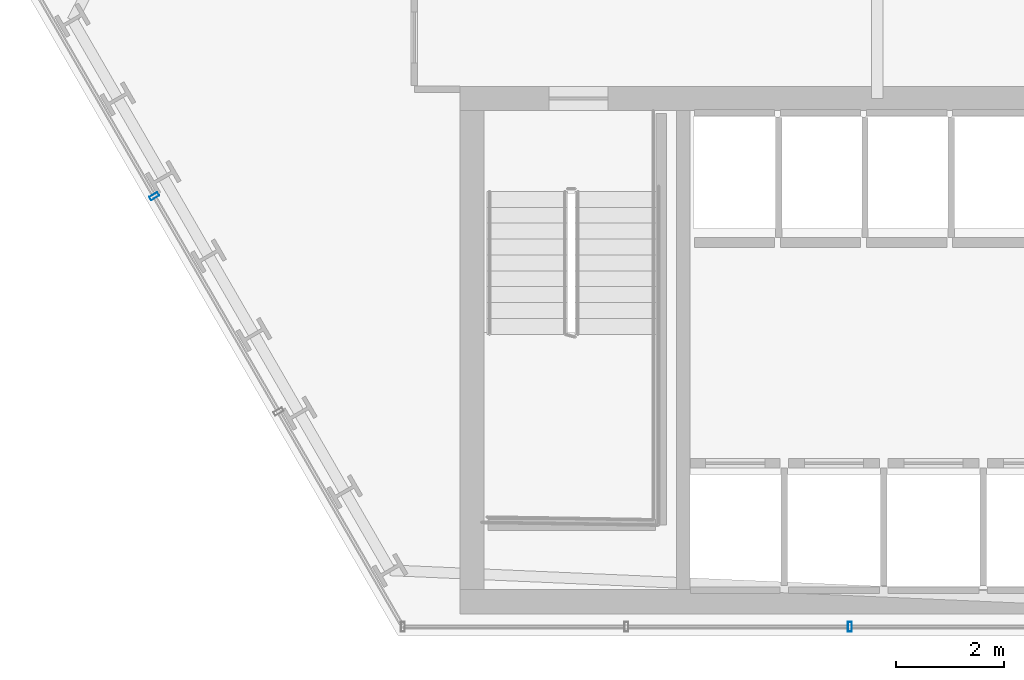
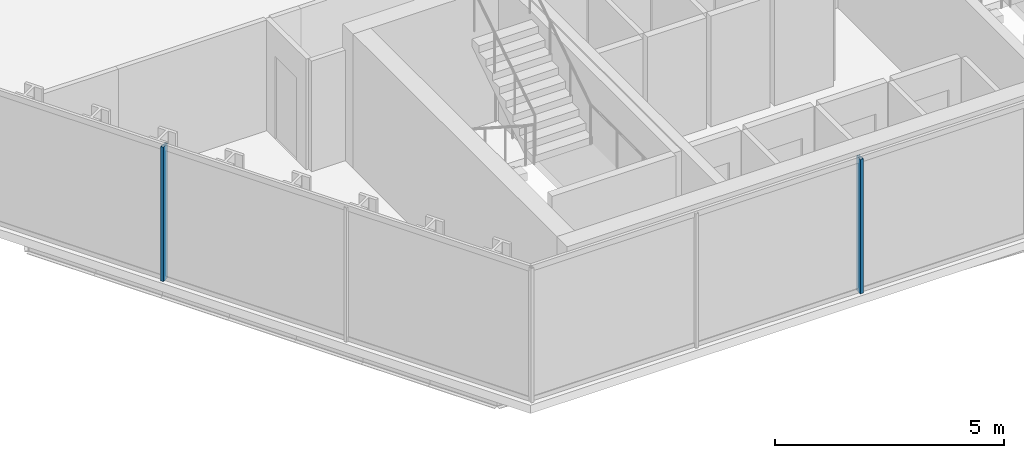
# One storey, part 4 of 32: 2 members, 2 elements without a shape of their own.
"""IFC4 building model written with IfcOpenShell, lengths in metres."""

from ifc_helpers import new_model, si_unit, direction, frame, origin, origin_2d, place, context, subcontext, project, spatial, hollow_rectangle, extrude, material, layer, layer_set, material_profile, profile_set, type_object, element, aggregate, save


model = new_model("IFC4")

# Units and contexts
model_context = context("Model", 3, precision=1e-05, world=origin(), true_north=direction((0.0, 1.0)))
body_context = subcontext(model_context, "Body", "Model", "MODEL_VIEW")
ifc_project = project(units=[si_unit("LENGTHUNIT", "METRE"), si_unit("AREAUNIT", "SQUARE_METRE"), si_unit("VOLUMEUNIT", "CUBIC_METRE"), si_unit("PLANEANGLEUNIT", "RADIAN"), si_unit("MASSUNIT", "GRAM", prefix="KILO")], contexts=[model_context])

# Site, building, storey
site_placement = place(None, origin())
site = spatial("IfcSite", under=ifc_project, at=site_placement, CompositionType="ELEMENT")
building_placement = place(site_placement, origin())
building = spatial("IfcBuilding", under=site, at=building_placement, Name="Ndaravel Arena Tower", CompositionType="ELEMENT")
storey_placement = place(building_placement, frame((0.0, 0.0, 93.0)))
storey = spatial("IfcBuildingStorey", under=building, at=storey_placement, Name="L21", CompositionType="ELEMENT", Elevation=93.0)

# Curtain wall, member
ifc_material_1 = material(Name="Aluminium", Category="aluminium")
ifc_layer_1 = layer(ifc_material_1, 0.179931640625)
ifc_layer_set_1 = layer_set([ifc_layer_1], Name="Aluminium")
curtain_wall_type_1 = type_object("IfcCurtainWallType", Name="CW-SYS-03", PredefinedType="NOTDEFINED", material=ifc_layer_set_1)
curtain_wall_1_placement = place(storey_placement, origin())
curtain_wall_1 = element("IfcCurtainWall", 1, at=curtain_wall_1_placement, inside=storey, type_object=curtain_wall_type_1, Name="L21 Faceted Crystal Curtain Wall CW-L21-E01", PredefinedType="NOTDEFINED")
ifc_material_2 = material(Name="Aluminium", Category="aluminium")
ifc_material_profile = material_profile(ifc_material_2, hollow_rectangle(XDim=0.074951171875, YDim=0.179931640625, WallThickness=0.00390625, at=origin_2d()), Name="CW MULLION 75x180x4")
ifc_profile_set = profile_set([ifc_material_profile], Name="Aluminium")
member_type = type_object("IfcMemberType", Name="MEM-CW-MUL180", PredefinedType="MULLION", material=ifc_profile_set)
member_1_placement = place(storey_placement, frame((33.69384765625, 5.159912109375, 0.0), z_axis=(0.0, 0.0, 1.0), x_axis=(1.0, 0.0, 0.0)))
member_1 = element("IfcMember", 2, at=member_1_placement, type_object=member_type, Name="CW-L21-E01 Mullion 02", PredefinedType="MULLION", context=body_context, shape_type="SweptSolid", body=[
    extrude(hollow_rectangle(XDim=0.074951171875, YDim=0.179931640625, WallThickness=0.00390625, at=origin_2d()), origin(), (0.0, 0.0, 1.0), 3.580078125),
])
aggregate(curtain_wall_1, [member_1])

ifc_material_3 = material(Name="Aluminium", Category="aluminium")
ifc_layer_2 = layer(ifc_material_3, 0.179931640625)
ifc_layer_set_2 = layer_set([ifc_layer_2], Name="Aluminium")
curtain_wall_type_2 = type_object("IfcCurtainWallType", Name="CW-SYS-02", PredefinedType="NOTDEFINED", material=ifc_layer_set_2)
curtain_wall_2_placement = place(storey_placement, origin())
curtain_wall_2 = element("IfcCurtainWall", 3, at=curtain_wall_2_placement, inside=storey, type_object=curtain_wall_type_2, Name="L21 Faceted Crystal Curtain Wall CW-L21-E06", PredefinedType="NOTDEFINED")
member_2_placement = place(storey_placement, frame((20.7685546875, 13.160400390625, 0.0), z_axis=(0.0, 0.0, 1.0), x_axis=(0.5, -0.866025403784, 0.0)))
member_2 = element("IfcMember", 4, at=member_2_placement, type_object=member_type, Name="CW-L21-E06 Mullion 01", PredefinedType="MULLION", context=body_context, shape_type="SweptSolid", body=[
    extrude(hollow_rectangle(XDim=0.074951171875, YDim=0.179931640625, WallThickness=0.00390625, at=origin_2d()), origin(), (0.0, 0.0, 1.0), 3.580078125),
])
aggregate(curtain_wall_2, [member_2])

save(model, "model.ifc")
